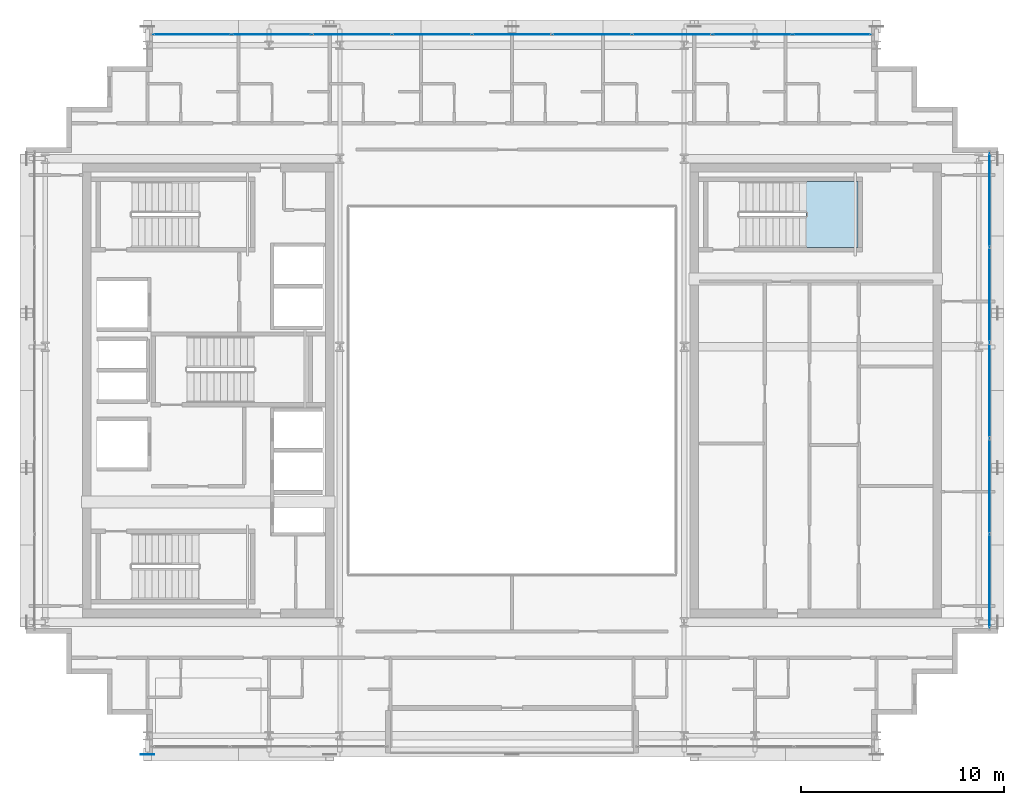
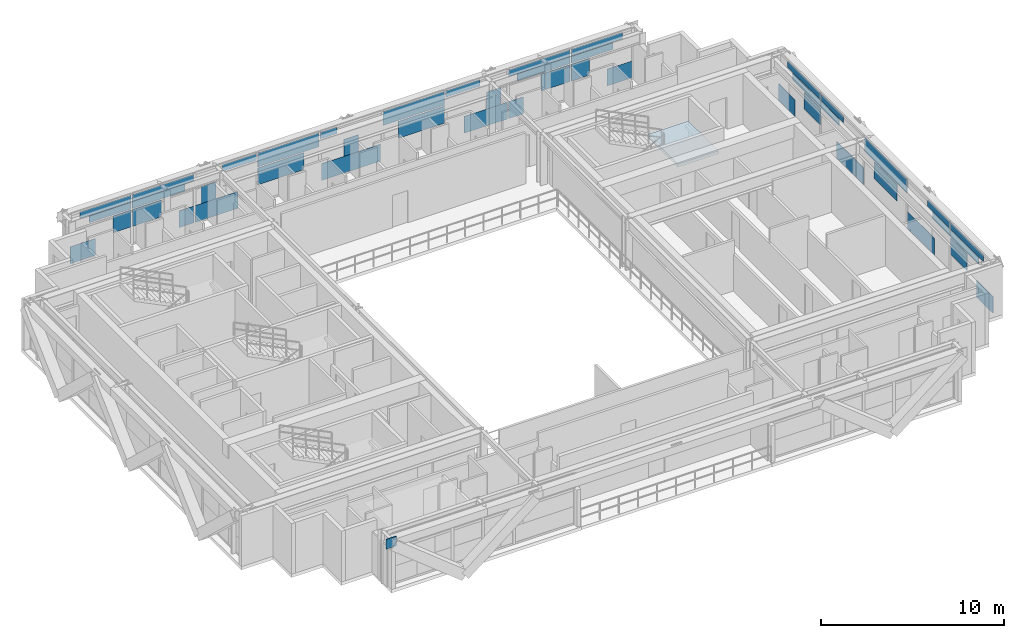
# One storey, part 17 of 28: 46 plates, 1 slab, 3 elements without a shape of their own.
"""IFC4 building model written with IfcOpenShell, lengths in metres."""

from ifc_helpers import new_model, si_unit, direction, frame, origin, origin_2d, place, context, subcontext, project, spatial, polyline, rectangle, outline, extrude, source, transform, mapped, material, layer, layer_set, type_object, element, aggregate, save


model = new_model("IFC4")

# Units and contexts
model_context = context("Model", 3, precision=1e-05, world=origin(), true_north=direction((0.0, 1.0)))
body_context = subcontext(model_context, "Body", "Model", "MODEL_VIEW")
ifc_project = project(units=[si_unit("LENGTHUNIT", "METRE"), si_unit("AREAUNIT", "SQUARE_METRE"), si_unit("VOLUMEUNIT", "CUBIC_METRE"), si_unit("PLANEANGLEUNIT", "RADIAN"), si_unit("MASSUNIT", "GRAM", prefix="KILO")], contexts=[model_context])

# Site, building, storey
site_placement = place(None, origin())
site = spatial("IfcSite", under=ifc_project, at=site_placement, CompositionType="ELEMENT")
building_placement = place(site_placement, origin())
building = spatial("IfcBuilding", under=site, at=building_placement, Name="Ocotamira Hotel", CompositionType="ELEMENT")
storey_placement = place(building_placement, frame((0.0, 0.0, 240.0)))
storey = spatial("IfcBuildingStorey", under=building, at=storey_placement, Name="L60", CompositionType="ELEMENT", Elevation=240.0)

# Stair, slab
ifc_material_1 = material(Name="Concrete C40/50", Category="concrete")
stair_type = type_object("IfcStairType", Name="ST-CORE-1560", PredefinedType="HALF_TURN_STAIR", material=ifc_material_1)
stair_placement = place(storey_placement, origin())
stair = element("IfcStair", 1, at=stair_placement, inside=storey, type_object=stair_type, Name="L60 Exit Stair ST-4", PredefinedType="HALF_TURN_STAIR")
ifc_layer_1 = layer(ifc_material_1, 0.199951171875)
ifc_layer_set_1 = layer_set([ifc_layer_1], Name="Concrete C40/50")
slab_type = type_object("IfcSlabType", Name="SLB-LAND-200", PredefinedType="LANDING", material=ifc_layer_set_1)
slab_placement = place(storey_placement, frame((0.0, 0.0, 1.60009765625)))
slab = element("IfcSlab", 2, at=slab_placement, type_object=slab_type, Name="ST-4 landing 1", PredefinedType="LANDING", context=body_context, shape_type="SweptSolid", body=[
    extrude(outline(polyline([(46.530029296875, 33.050048828125), (49.090087890625, 33.050048828125), (49.090087890625, 36.330078125), (46.530029296875, 36.330078125), (46.530029296875, 33.050048828125)])), origin(), (0.0, 0.0, 1.0), 0.199951171875),
])
aggregate(stair, [slab])

# Plate
ifc_material_2 = material(Name="Pale-metal coated steel ASTM A572 Grade 50", Category="steel")
ifc_layer_2 = layer(ifc_material_2, 0.0400390625)
ifc_layer_set_2 = layer_set([ifc_layer_2], Name="Pale-metal coated steel ASTM A572 Grade 50")
plate_type_1 = type_object("IfcPlateType", Name="PLT-GUSSET-40", PredefinedType="SHEET", material=ifc_layer_set_2)
shared_shape_1 = source(origin(), body_context, "Body", "SweptSolid", [
    extrude(rectangle(XDim=0.64990234375, YDim=0.0400390625, at=origin_2d()), origin(), (0.0, 0.0, 1.0), 0.64990234375),
])
plate_1_placement = place(storey_placement, frame((14.0, 8.030029296875, 2.804931640625), z_axis=(0.0, 0.0, 1.0), x_axis=(-1.0, 0.0, 0.0)))
element("IfcPlate", 3, at=plate_1_placement, inside=storey, type_object=plate_type_1, Name="L60 Exoskeleton Diagrid S0.1 End Gusset B", PredefinedType="SHEET", context=body_context, shape_type="MappedRepresentation", body=[
    mapped(shared_shape_1, transform((0.0, 0.0, 0.0), scale=1.0)),
])

# Curtain wall, plates
ifc_material_3 = material(Name="Anodised pale-metal aluminium and solar glass", Category="aluminium")
ifc_layer_3 = layer(ifc_material_3, 0.239990234375)
ifc_layer_set_3 = layer_set([ifc_layer_3], Name="Anodised pale-metal aluminium and solar glass")
curtain_wall_type = type_object("IfcCurtainWallType", Name="CW-SYS5-SKY", PredefinedType="NOTDEFINED", material=ifc_layer_set_3)
curtain_wall_1_placement = place(storey_placement, origin())
curtain_wall_1 = element("IfcCurtainWall", 4, at=curtain_wall_1_placement, inside=storey, type_object=curtain_wall_type, Name="L60 Curtain Wall CW-5 CW-L60-N", PredefinedType="NOTDEFINED")
ifc_material_4 = material(Name="Double-silver low-E insulated solar glass", Category="glass")
ifc_layer_4 = layer(ifc_material_4, 0.031982421875)
ifc_layer_set_4 = layer_set([ifc_layer_4], Name="Double-silver low-E insulated solar glass")
plate_type_2 = type_object("IfcPlateType", Name="CWP-VISION-32", PredefinedType="CURTAIN_PANEL", material=ifc_layer_set_4)
shared_shape_2 = source(origin(), body_context, "Body", "SweptSolid", [
    extrude(rectangle(XDim=3.233154296875, YDim=0.031982421875, at=origin_2d()), origin(), (0.0, 0.0, 1.0), 0.4326171875),
])
plate_2_placement = place(storey_placement, frame((16.4990234375, 43.580078125, 2.872314453125), z_axis=(0.0, 0.0, 1.0), x_axis=(1.0, 0.0, 0.0)))
plate_2 = element("IfcPlate", 5, at=plate_2_placement, type_object=plate_type_2, Name="CW-5 panel 1.2.1", PredefinedType="CURTAIN_PANEL", context=body_context, shape_type="MappedRepresentation", body=[
    mapped(shared_shape_2, transform((0.0, 0.0, 0.0), scale=1.0)),
])
plate_3_placement = place(storey_placement, frame((47.5009765625, 43.580078125, 2.872314453125), z_axis=(0.0, 0.0, 1.0), x_axis=(1.0, 0.0, 0.0)))
plate_3 = element("IfcPlate", 6, at=plate_3_placement, type_object=plate_type_2, Name="CW-5 panel 9.2.2", PredefinedType="CURTAIN_PANEL", context=body_context, shape_type="MappedRepresentation", body=[
    mapped(shared_shape_2, transform((0.0, 0.0, 0.0), scale=1.0)),
])
shared_shape_3 = source(origin(), body_context, "Body", "SweptSolid", [
    extrude(rectangle(XDim=3.87548828125, YDim=0.031982421875, at=origin_2d()), origin(), (0.0, 0.0, 1.0), 0.4326171875),
])
plate_4_placement = place(storey_placement, frame((20.13330078125, 43.580078125, 2.872314453125), z_axis=(0.0, 0.0, 1.0), x_axis=(1.0, 0.0, 0.0)))
plate_4 = element("IfcPlate", 7, at=plate_4_placement, type_object=plate_type_2, Name="CW-5 panel 2.2.2", PredefinedType="CURTAIN_PANEL", context=body_context, shape_type="MappedRepresentation", body=[
    mapped(shared_shape_3, transform((0.0, 0.0, 0.0), scale=1.0)),
])
plate_5_placement = place(storey_placement, frame((43.86669921875, 43.580078125, 2.872314453125), z_axis=(0.0, 0.0, 1.0), x_axis=(1.0, 0.0, 0.0)))
plate_5 = element("IfcPlate", 8, at=plate_5_placement, type_object=plate_type_2, Name="CW-5 panel 8.2.1", PredefinedType="CURTAIN_PANEL", context=body_context, shape_type="MappedRepresentation", body=[
    mapped(shared_shape_3, transform((0.0, 0.0, 0.0), scale=1.0)),
])
shared_shape_4 = source(origin(), body_context, "Body", "SweptSolid", [
    extrude(rectangle(XDim=2.144287109375, YDim=0.031982421875, at=origin_2d()), origin(), (0.0, 0.0, 1.0), 0.4326171875),
])
plate_6_placement = place(storey_placement, frame((24.95458984375, 43.580078125, 2.872314453125), z_axis=(0.0, 0.0, 1.0), x_axis=(1.0, 0.0, 0.0)))
plate_6 = element("IfcPlate", 9, at=plate_6_placement, type_object=plate_type_2, Name="CW-5 panel 3.2.1", PredefinedType="CURTAIN_PANEL", context=body_context, shape_type="MappedRepresentation", body=[
    mapped(shared_shape_4, transform((0.0, 0.0, 0.0), scale=1.0)),
])
plate_7_placement = place(storey_placement, frame((39.04541015625, 43.580078125, 2.872314453125), z_axis=(0.0, 0.0, 1.0), x_axis=(1.0, 0.0, 0.0)))
plate_7 = element("IfcPlate", 10, at=plate_7_placement, type_object=plate_type_2, Name="CW-5 panel 7.2.1", PredefinedType="CURTAIN_PANEL", context=body_context, shape_type="MappedRepresentation", body=[
    mapped(shared_shape_4, transform((0.0, 0.0, 0.0), scale=1.0)),
])
shared_shape_5 = source(origin(), body_context, "Body", "SweptSolid", [
    extrude(rectangle(XDim=1.055419921875, YDim=0.031982421875, at=origin_2d()), origin(), (0.0, 0.0, 1.0), 0.4326171875),
])
plate_8_placement = place(storey_placement, frame((30.58984375, 43.580078125, 2.872314453125), z_axis=(0.0, 0.0, 1.0), x_axis=(1.0, 0.0, 0.0)))
plate_8 = element("IfcPlate", 11, at=plate_8_placement, type_object=plate_type_2, Name="CW-5 panel 5.2.1", PredefinedType="CURTAIN_PANEL", context=body_context, shape_type="MappedRepresentation", body=[
    mapped(shared_shape_5, transform((0.0, 0.0, 0.0), scale=1.0)),
])
shared_shape_6 = source(origin(), body_context, "Body", "SweptSolid", [
    extrude(rectangle(XDim=2.91259765625, YDim=0.031982421875, at=origin_2d()), origin(), (0.0, 0.0, 1.0), 1.118896484375),
])
plate_9_placement = place(storey_placement, frame((27.56298828125, 43.580078125, 1.19384765625), z_axis=(0.0, 0.0, 1.0), x_axis=(1.0, 0.0, 0.0)))
plate_9 = element("IfcPlate", 12, at=plate_9_placement, type_object=plate_type_2, Name="CW-5 panel 4.1.1", PredefinedType="CURTAIN_PANEL", context=body_context, shape_type="MappedRepresentation", body=[
    mapped(shared_shape_6, transform((0.0, 0.0, 0.0), scale=1.0)),
])
plate_10_placement = place(storey_placement, frame((36.43701171875, 43.580078125, 1.19384765625), z_axis=(0.0, 0.0, 1.0), x_axis=(1.0, 0.0, 0.0)))
plate_10 = element("IfcPlate", 13, at=plate_10_placement, type_object=plate_type_2, Name="CW-5 panel 6.1.1", PredefinedType="CURTAIN_PANEL", context=body_context, shape_type="MappedRepresentation", body=[
    mapped(shared_shape_6, transform((0.0, 0.0, 0.0), scale=1.0)),
])
shared_shape_7 = source(origin(), body_context, "Body", "SweptSolid", [
    extrude(rectangle(XDim=1.580078125, YDim=0.031982421875, at=origin_2d()), origin(), (0.0, 0.0, 1.0), 1.118896484375),
])
plate_11_placement = place(storey_placement, frame((15.070068359375, 43.580078125, 0.0751953125), z_axis=(0.0, 0.0, 1.0), x_axis=(1.0, 0.0, 0.0)))
plate_11 = element("IfcPlate", 14, at=plate_11_placement, type_object=plate_type_2, Name="CW-5 panel 1.1.1", PredefinedType="CURTAIN_PANEL", context=body_context, shape_type="MappedRepresentation", body=[
    mapped(shared_shape_7, transform((0.0, 0.0, 0.0), scale=1.0)),
])
plate_12_placement = place(storey_placement, frame((48.929931640625, 43.580078125, 0.0751953125), z_axis=(0.0, 0.0, 1.0), x_axis=(1.0, 0.0, 0.0)))
plate_12 = element("IfcPlate", 15, at=plate_12_placement, type_object=plate_type_2, Name="CW-5 panel 9.1.2", PredefinedType="CURTAIN_PANEL", context=body_context, shape_type="MappedRepresentation", body=[
    mapped(shared_shape_7, transform((0.0, 0.0, 0.0), scale=1.0)),
])
shared_shape_8 = source(origin(), body_context, "Body", "SweptSolid", [
    extrude(rectangle(XDim=1.135009765625, YDim=0.031982421875, at=origin_2d()), origin(), (0.0, 0.0, 1.0), 1.118896484375),
])
plate_13_placement = place(storey_placement, frame((17.548095703125, 43.580078125, 1.19384765625), z_axis=(0.0, 0.0, 1.0), x_axis=(1.0, 0.0, 0.0)))
plate_13 = element("IfcPlate", 16, at=plate_13_placement, type_object=plate_type_2, Name="CW-5 panel 1.1.2", PredefinedType="CURTAIN_PANEL", context=body_context, shape_type="MappedRepresentation", body=[
    mapped(shared_shape_8, transform((0.0, 0.0, 0.0), scale=1.0)),
])
plate_14_placement = place(storey_placement, frame((46.451904296875, 43.580078125, 1.19384765625), z_axis=(0.0, 0.0, 1.0), x_axis=(1.0, 0.0, 0.0)))
plate_14 = element("IfcPlate", 17, at=plate_14_placement, type_object=plate_type_2, Name="CW-5 panel 9.1.1", PredefinedType="CURTAIN_PANEL", context=body_context, shape_type="MappedRepresentation", body=[
    mapped(shared_shape_8, transform((0.0, 0.0, 0.0), scale=1.0)),
])
shared_shape_9 = source(origin(), body_context, "Body", "SweptSolid", [
    extrude(rectangle(XDim=1.823974609375, YDim=0.031982421875, at=origin_2d()), origin(), (0.0, 0.0, 1.0), 1.118896484375),
])
plate_15_placement = place(storey_placement, frame((19.107421875, 43.580078125, 1.19384765625), z_axis=(0.0, 0.0, 1.0), x_axis=(1.0, 0.0, 0.0)))
plate_15 = element("IfcPlate", 18, at=plate_15_placement, type_object=plate_type_2, Name="CW-5 panel 2.1.1", PredefinedType="CURTAIN_PANEL", context=body_context, shape_type="MappedRepresentation", body=[
    mapped(shared_shape_9, transform((0.0, 0.0, 0.0), scale=1.0)),
])
plate_16_placement = place(storey_placement, frame((44.892578125, 43.580078125, 1.19384765625), z_axis=(0.0, 0.0, 1.0), x_axis=(1.0, 0.0, 0.0)))
plate_16 = element("IfcPlate", 19, at=plate_16_placement, type_object=plate_type_2, Name="CW-5 panel 8.1.2", PredefinedType="CURTAIN_PANEL", context=body_context, shape_type="MappedRepresentation", body=[
    mapped(shared_shape_9, transform((0.0, 0.0, 0.0), scale=1.0)),
])
shared_shape_10 = source(origin(), body_context, "Body", "SweptSolid", [
    extrude(rectangle(XDim=0.93115234375, YDim=0.031982421875, at=origin_2d()), origin(), (0.0, 0.0, 1.0), 1.118896484375),
])
plate_17_placement = place(storey_placement, frame((21.60546875, 43.580078125, 0.0751953125), z_axis=(0.0, 0.0, 1.0), x_axis=(1.0, 0.0, 0.0)))
plate_17 = element("IfcPlate", 20, at=plate_17_placement, type_object=plate_type_2, Name="CW-5 panel 2.1.2", PredefinedType="CURTAIN_PANEL", context=body_context, shape_type="MappedRepresentation", body=[
    mapped(shared_shape_10, transform((0.0, 0.0, 0.0), scale=1.0)),
])
plate_18_placement = place(storey_placement, frame((42.39453125, 43.580078125, 0.0751953125), z_axis=(0.0, 0.0, 1.0), x_axis=(1.0, 0.0, 0.0)))
plate_18 = element("IfcPlate", 21, at=plate_18_placement, type_object=plate_type_2, Name="CW-5 panel 8.1.1", PredefinedType="CURTAIN_PANEL", context=body_context, shape_type="MappedRepresentation", body=[
    mapped(shared_shape_10, transform((0.0, 0.0, 0.0), scale=1.0)),
])
shared_shape_11 = source(origin(), body_context, "Body", "SweptSolid", [
    extrude(rectangle(XDim=3.31591796875, YDim=0.031982421875, at=origin_2d()), origin(), (0.0, 0.0, 1.0), 0.48486328125),
])
plate_19_placement = place(storey_placement, frame((19.853515625, 43.580078125, 2.387451171875), z_axis=(0.0, 0.0, 1.0), x_axis=(1.0, 0.0, 0.0)))
plate_19 = element("IfcPlate", 22, at=plate_19_placement, type_object=plate_type_2, Name="CW-5 panel 2.2.1", PredefinedType="CURTAIN_PANEL", context=body_context, shape_type="MappedRepresentation", body=[
    mapped(shared_shape_11, transform((0.0, 0.0, 0.0), scale=1.0)),
])
plate_20_placement = place(storey_placement, frame((44.146484375, 43.580078125, 2.387451171875), z_axis=(0.0, 0.0, 1.0), x_axis=(1.0, 0.0, 0.0)))
plate_20 = element("IfcPlate", 23, at=plate_20_placement, type_object=plate_type_2, Name="CW-5 panel 8.2.2", PredefinedType="CURTAIN_PANEL", context=body_context, shape_type="MappedRepresentation", body=[
    mapped(shared_shape_11, transform((0.0, 0.0, 0.0), scale=1.0)),
])
shared_shape_12 = source(origin(), body_context, "Body", "SweptSolid", [
    extrude(rectangle(XDim=2.708984375, YDim=0.031982421875, at=origin_2d()), origin(), (0.0, 0.0, 1.0), 1.118896484375),
])
plate_21_placement = place(storey_placement, frame((23.505615234375, 43.580078125, 0.0751953125), z_axis=(0.0, 0.0, 1.0), x_axis=(1.0, 0.0, 0.0)))
plate_21 = element("IfcPlate", 24, at=plate_21_placement, type_object=plate_type_2, Name="CW-5 panel 3.1.1", PredefinedType="CURTAIN_PANEL", context=body_context, shape_type="MappedRepresentation", body=[
    mapped(shared_shape_12, transform((0.0, 0.0, 0.0), scale=1.0)),
])
plate_22_placement = place(storey_placement, frame((40.494384765625, 43.580078125, 0.0751953125), z_axis=(0.0, 0.0, 1.0), x_axis=(1.0, 0.0, 0.0)))
plate_22 = element("IfcPlate", 25, at=plate_22_placement, type_object=plate_type_2, Name="CW-5 panel 7.1.1", PredefinedType="CURTAIN_PANEL", context=body_context, shape_type="MappedRepresentation", body=[
    mapped(shared_shape_12, transform((0.0, 0.0, 0.0), scale=1.0)),
])
shared_shape_13 = source(origin(), body_context, "Body", "SweptSolid", [
    extrude(rectangle(XDim=0.923095703125, YDim=0.031982421875, at=origin_2d()), origin(), (0.0, 0.0, 1.0), 1.118896484375),
])
plate_23_placement = place(storey_placement, frame((23.0, 43.580078125, 1.19384765625), z_axis=(0.0, 0.0, 1.0), x_axis=(1.0, 0.0, 0.0)))
plate_23 = element("IfcPlate", 26, at=plate_23_placement, type_object=plate_type_2, Name="CW-5 panel 3.1.2", PredefinedType="CURTAIN_PANEL", context=body_context, shape_type="MappedRepresentation", body=[
    mapped(shared_shape_13, transform((0.0, 0.0, 0.0), scale=1.0)),
])
plate_24_placement = place(storey_placement, frame((32.0, 43.580078125, 1.19384765625), z_axis=(0.0, 0.0, 1.0), x_axis=(1.0, 0.0, 0.0)))
plate_24 = element("IfcPlate", 27, at=plate_24_placement, type_object=plate_type_2, Name="CW-5 panel 5.1.2", PredefinedType="CURTAIN_PANEL", context=body_context, shape_type="MappedRepresentation", body=[
    mapped(shared_shape_13, transform((0.0, 0.0, 0.0), scale=1.0)),
])
plate_25_placement = place(storey_placement, frame((41.0, 43.580078125, 1.19384765625), z_axis=(0.0, 0.0, 1.0), x_axis=(1.0, 0.0, 0.0)))
plate_25 = element("IfcPlate", 28, at=plate_25_placement, type_object=plate_type_2, Name="CW-5 panel 7.1.2", PredefinedType="CURTAIN_PANEL", context=body_context, shape_type="MappedRepresentation", body=[
    mapped(shared_shape_13, transform((0.0, 0.0, 0.0), scale=1.0)),
])
shared_shape_14 = source(origin(), body_context, "Body", "SweptSolid", [
    extrude(rectangle(XDim=3.87548828125, YDim=0.031982421875, at=origin_2d()), origin(), (0.0, 0.0, 1.0), 0.91748046875),
])
plate_26_placement = place(storey_placement, frame((28.04443359375, 43.580078125, 2.387451171875), z_axis=(0.0, 0.0, 1.0), x_axis=(1.0, 0.0, 0.0)))
plate_26 = element("IfcPlate", 29, at=plate_26_placement, type_object=plate_type_2, Name="CW-5 panel 4.2", PredefinedType="CURTAIN_PANEL", context=body_context, shape_type="MappedRepresentation", body=[
    mapped(shared_shape_14, transform((0.0, 0.0, 0.0), scale=1.0)),
])
plate_27_placement = place(storey_placement, frame((35.95556640625, 43.580078125, 2.387451171875), z_axis=(0.0, 0.0, 1.0), x_axis=(1.0, 0.0, 0.0)))
plate_27 = element("IfcPlate", 30, at=plate_27_placement, type_object=plate_type_2, Name="CW-5 panel 6.2", PredefinedType="CURTAIN_PANEL", context=body_context, shape_type="MappedRepresentation", body=[
    mapped(shared_shape_14, transform((0.0, 0.0, 0.0), scale=1.0)),
])
shared_shape_15 = source(origin(), body_context, "Body", "SweptSolid", [
    extrude(rectangle(XDim=3.72021484375, YDim=0.031982421875, at=origin_2d()), origin(), (0.0, 0.0, 1.0), 1.118896484375),
])
plate_28_placement = place(storey_placement, frame((32.0, 43.580078125, 0.0751953125), z_axis=(0.0, 0.0, 1.0), x_axis=(1.0, 0.0, 0.0)))
plate_28 = element("IfcPlate", 31, at=plate_28_placement, type_object=plate_type_2, Name="CW-5 panel 5.1.1", PredefinedType="CURTAIN_PANEL", context=body_context, shape_type="MappedRepresentation", body=[
    mapped(shared_shape_15, transform((0.0, 0.0, 0.0), scale=1.0)),
])

curtain_wall_2_placement = place(storey_placement, origin())
curtain_wall_2 = element("IfcCurtainWall", 32, at=curtain_wall_2_placement, inside=storey, type_object=curtain_wall_type, Name="L60 Curtain Wall CW-5 CW-L60-E", PredefinedType="NOTDEFINED")
shared_shape_16 = source(origin(), body_context, "Body", "SweptSolid", [
    extrude(rectangle(XDim=1.812744140625, YDim=0.031982421875, at=origin_2d()), origin(), (0.0, 0.0, 1.0), 1.118896484375),
])
plate_29_placement = place(storey_placement, frame((55.580078125, 15.186279296875, 0.0751953125), z_axis=(0.0, 0.0, 1.0), x_axis=(0.0, 1.0, 0.0)))
plate_29 = element("IfcPlate", 33, at=plate_29_placement, type_object=plate_type_2, Name="CW-5 panel 1.1.1", PredefinedType="CURTAIN_PANEL", context=body_context, shape_type="MappedRepresentation", body=[
    mapped(shared_shape_16, transform((0.0, 0.0, 0.0), scale=1.0)),
])
plate_30_placement = place(storey_placement, frame((55.580078125, 36.813720703125, 0.0751953125), z_axis=(0.0, 0.0, 1.0), x_axis=(0.0, 1.0, 0.0)))
plate_30 = element("IfcPlate", 34, at=plate_30_placement, type_object=plate_type_2, Name="CW-5 panel 5.1.2", PredefinedType="CURTAIN_PANEL", context=body_context, shape_type="MappedRepresentation", body=[
    mapped(shared_shape_16, transform((0.0, 0.0, 0.0), scale=1.0)),
])
shared_shape_17 = source(origin(), body_context, "Body", "SweptSolid", [
    extrude(rectangle(XDim=1.76708984375, YDim=0.031982421875, at=origin_2d()), origin(), (0.0, 0.0, 1.0), 1.118896484375),
])
plate_31_placement = place(storey_placement, frame((55.580078125, 17.996337890625, 1.19384765625), z_axis=(0.0, 0.0, 1.0), x_axis=(0.0, 1.0, 0.0)))
plate_31 = element("IfcPlate", 35, at=plate_31_placement, type_object=plate_type_2, Name="CW-5 panel 1.1.2", PredefinedType="CURTAIN_PANEL", context=body_context, shape_type="MappedRepresentation", body=[
    mapped(shared_shape_17, transform((0.0, 0.0, 0.0), scale=1.0)),
])
plate_32_placement = place(storey_placement, frame((55.580078125, 34.003662109375, 1.19384765625), z_axis=(0.0, 0.0, 1.0), x_axis=(0.0, 1.0, 0.0)))
plate_32 = element("IfcPlate", 36, at=plate_32_placement, type_object=plate_type_2, Name="CW-5 panel 5.1.1", PredefinedType="CURTAIN_PANEL", context=body_context, shape_type="MappedRepresentation", body=[
    mapped(shared_shape_17, transform((0.0, 0.0, 0.0), scale=1.0)),
])
shared_shape_18 = source(origin(), body_context, "Body", "SweptSolid", [
    extrude(rectangle(XDim=3.568115234375, YDim=0.031982421875, at=origin_2d()), origin(), (0.0, 0.0, 1.0), 0.41259765625),
])
plate_33_placement = place(storey_placement, frame((55.580078125, 17.095947265625, 2.892578125), z_axis=(0.0, 0.0, 1.0), x_axis=(0.0, 1.0, 0.0)))
plate_33 = element("IfcPlate", 37, at=plate_33_placement, type_object=plate_type_2, Name="CW-5 panel 1.2.1", PredefinedType="CURTAIN_PANEL", context=body_context, shape_type="MappedRepresentation", body=[
    mapped(shared_shape_18, transform((0.0, 0.0, 0.0), scale=1.0)),
])
plate_34_placement = place(storey_placement, frame((55.580078125, 34.904052734375, 2.892578125), z_axis=(0.0, 0.0, 1.0), x_axis=(0.0, 1.0, 0.0)))
plate_34 = element("IfcPlate", 38, at=plate_34_placement, type_object=plate_type_2, Name="CW-5 panel 5.2.2", PredefinedType="CURTAIN_PANEL", context=body_context, shape_type="MappedRepresentation", body=[
    mapped(shared_shape_18, transform((0.0, 0.0, 0.0), scale=1.0)),
])
shared_shape_19 = source(origin(), body_context, "Body", "SweptSolid", [
    extrude(rectangle(XDim=2.95947265625, YDim=0.031982421875, at=origin_2d()), origin(), (0.0, 0.0, 1.0), 1.118896484375),
])
plate_35_placement = place(storey_placement, frame((55.580078125, 22.120361328125, 0.0751953125), z_axis=(0.0, 0.0, 1.0), x_axis=(0.0, 1.0, 0.0)))
plate_35 = element("IfcPlate", 39, at=plate_35_placement, type_object=plate_type_2, Name="CW-5 panel 2.1.1", PredefinedType="CURTAIN_PANEL", context=body_context, shape_type="MappedRepresentation", body=[
    mapped(shared_shape_19, transform((0.0, 0.0, 0.0), scale=1.0)),
])
plate_36_placement = place(storey_placement, frame((55.580078125, 29.879638671875, 0.0751953125), z_axis=(0.0, 0.0, 1.0), x_axis=(0.0, 1.0, 0.0)))
plate_36 = element("IfcPlate", 40, at=plate_36_placement, type_object=plate_type_2, Name="CW-5 panel 4.1.1", PredefinedType="CURTAIN_PANEL", context=body_context, shape_type="MappedRepresentation", body=[
    mapped(shared_shape_19, transform((0.0, 0.0, 0.0), scale=1.0)),
])
shared_shape_20 = source(origin(), body_context, "Body", "SweptSolid", [
    extrude(rectangle(XDim=2.46142578125, YDim=0.031982421875, at=origin_2d()), origin(), (0.0, 0.0, 1.0), 0.41259765625),
])
plate_37_placement = place(storey_placement, frame((55.580078125, 20.190673828125, 2.892578125), z_axis=(0.0, 0.0, 1.0), x_axis=(0.0, 1.0, 0.0)))
plate_37 = element("IfcPlate", 41, at=plate_37_placement, type_object=plate_type_2, Name="CW-5 panel 2.2.2", PredefinedType="CURTAIN_PANEL", context=body_context, shape_type="MappedRepresentation", body=[
    mapped(shared_shape_20, transform((0.0, 0.0, 0.0), scale=1.0)),
])
plate_38_placement = place(storey_placement, frame((55.580078125, 31.809326171875, 2.892578125), z_axis=(0.0, 0.0, 1.0), x_axis=(0.0, 1.0, 0.0)))
plate_38 = element("IfcPlate", 42, at=plate_38_placement, type_object=plate_type_2, Name="CW-5 panel 4.2.1", PredefinedType="CURTAIN_PANEL", context=body_context, shape_type="MappedRepresentation", body=[
    mapped(shared_shape_20, transform((0.0, 0.0, 0.0), scale=1.0)),
])
shared_shape_21 = source(origin(), body_context, "Body", "SweptSolid", [
    extrude(rectangle(XDim=2.507568359375, YDim=0.031982421875, at=origin_2d()), origin(), (0.0, 0.0, 1.0), 1.118896484375),
])
plate_39_placement = place(storey_placement, frame((55.580078125, 26.0, 1.19384765625), z_axis=(0.0, 0.0, 1.0), x_axis=(0.0, 1.0, 0.0)))
plate_39 = element("IfcPlate", 43, at=plate_39_placement, type_object=plate_type_2, Name="CW-5 panel 3.1.1", PredefinedType="CURTAIN_PANEL", context=body_context, shape_type="MappedRepresentation", body=[
    mapped(shared_shape_21, transform((0.0, 0.0, 0.0), scale=1.0)),
])
shared_shape_22 = source(origin(), body_context, "Body", "SweptSolid", [
    extrude(rectangle(XDim=4.639892578125, YDim=0.031982421875, at=origin_2d()), origin(), (0.0, 0.0, 1.0), 0.91748046875),
])
plate_40_placement = place(storey_placement, frame((55.580078125, 26.0, 2.387451171875), z_axis=(0.0, 0.0, 1.0), x_axis=(0.0, 1.0, 0.0)))
plate_40 = element("IfcPlate", 44, at=plate_40_placement, type_object=plate_type_2, Name="CW-5 panel 3.2", PredefinedType="CURTAIN_PANEL", context=body_context, shape_type="MappedRepresentation", body=[
    mapped(shared_shape_22, transform((0.0, 0.0, 0.0), scale=1.0)),
])

# Plate
shared_shape_23 = source(origin(), body_context, "Body", "SweptSolid", [
    extrude(rectangle(XDim=2.627197265625, YDim=0.031982421875, at=origin_2d()), origin(), (0.0, 0.0, 1.0), 0.450927734375),
])
plate_41_placement = place(storey_placement, frame((16.802001953125, 43.580078125, 2.38720703125), z_axis=(0.0, 0.0, 1.0), x_axis=(1.0, 0.0, 0.0)))
plate_41 = element("IfcPlate", 45, at=plate_41_placement, type_object=plate_type_2, Name="CW-5 panel 1.2.2", PredefinedType="CURTAIN_PANEL", context=body_context, shape_type="MappedRepresentation", body=[
    mapped(shared_shape_23, transform((0.0, 0.0, 0.0), scale=1.0)),
])

plate_42_placement = place(storey_placement, frame((47.197998046875, 43.580078125, 2.38720703125), z_axis=(0.0, 0.0, 1.0), x_axis=(1.0, 0.0, 0.0)))
plate_42 = element("IfcPlate", 46, at=plate_42_placement, type_object=plate_type_2, Name="CW-5 panel 9.2.1", PredefinedType="CURTAIN_PANEL", context=body_context, shape_type="MappedRepresentation", body=[
    mapped(shared_shape_23, transform((0.0, 0.0, 0.0), scale=1.0)),
])

aggregate(curtain_wall_1, [plate_11, plate_13, plate_2, plate_41, plate_15, plate_17, plate_19, plate_4, plate_21, plate_23, plate_6, plate_9, plate_26, plate_28, plate_24, plate_8, plate_10, plate_27, plate_22, plate_25, plate_7, plate_18, plate_16, plate_5, plate_20, plate_14, plate_12, plate_42, plate_3])

shared_shape_24 = source(origin(), body_context, "Body", "SweptSolid", [
    extrude(rectangle(XDim=3.03271484375, YDim=0.031982421875, at=origin_2d()), origin(), (0.0, 0.0, 1.0), 0.467529296875),
])
plate_43_placement = place(storey_placement, frame((55.580078125, 17.363525390625, 2.3876953125), z_axis=(0.0, 0.0, 1.0), x_axis=(0.0, 1.0, 0.0)))
plate_43 = element("IfcPlate", 47, at=plate_43_placement, type_object=plate_type_2, Name="CW-5 panel 1.2.2", PredefinedType="CURTAIN_PANEL", context=body_context, shape_type="MappedRepresentation", body=[
    mapped(shared_shape_24, transform((0.0, 0.0, 0.0), scale=1.0)),
])

plate_44_placement = place(storey_placement, frame((55.580078125, 34.636474609375, 2.3876953125), z_axis=(0.0, 0.0, 1.0), x_axis=(0.0, 1.0, 0.0)))
plate_44 = element("IfcPlate", 48, at=plate_44_placement, type_object=plate_type_2, Name="CW-5 panel 5.2.1", PredefinedType="CURTAIN_PANEL", context=body_context, shape_type="MappedRepresentation", body=[
    mapped(shared_shape_24, transform((0.0, 0.0, 0.0), scale=1.0)),
])

shared_shape_25 = source(origin(), body_context, "Body", "SweptSolid", [
    extrude(rectangle(XDim=1.926025390625, YDim=0.031982421875, at=origin_2d()), origin(), (0.0, 0.0, 1.0), 0.467529296875),
])
plate_45_placement = place(storey_placement, frame((55.580078125, 19.923095703125, 2.3876953125), z_axis=(0.0, 0.0, 1.0), x_axis=(0.0, 1.0, 0.0)))
plate_45 = element("IfcPlate", 49, at=plate_45_placement, type_object=plate_type_2, Name="CW-5 panel 2.2.1", PredefinedType="CURTAIN_PANEL", context=body_context, shape_type="MappedRepresentation", body=[
    mapped(shared_shape_25, transform((0.0, 0.0, 0.0), scale=1.0)),
])

plate_46_placement = place(storey_placement, frame((55.580078125, 32.076904296875, 2.3876953125), z_axis=(0.0, 0.0, 1.0), x_axis=(0.0, 1.0, 0.0)))
plate_46 = element("IfcPlate", 50, at=plate_46_placement, type_object=plate_type_2, Name="CW-5 panel 4.2.2", PredefinedType="CURTAIN_PANEL", context=body_context, shape_type="MappedRepresentation", body=[
    mapped(shared_shape_25, transform((0.0, 0.0, 0.0), scale=1.0)),
])

aggregate(curtain_wall_2, [plate_29, plate_31, plate_33, plate_43, plate_35, plate_45, plate_37, plate_39, plate_40, plate_36, plate_38, plate_46, plate_32, plate_30, plate_44, plate_34])

save(model, "model.ifc")
